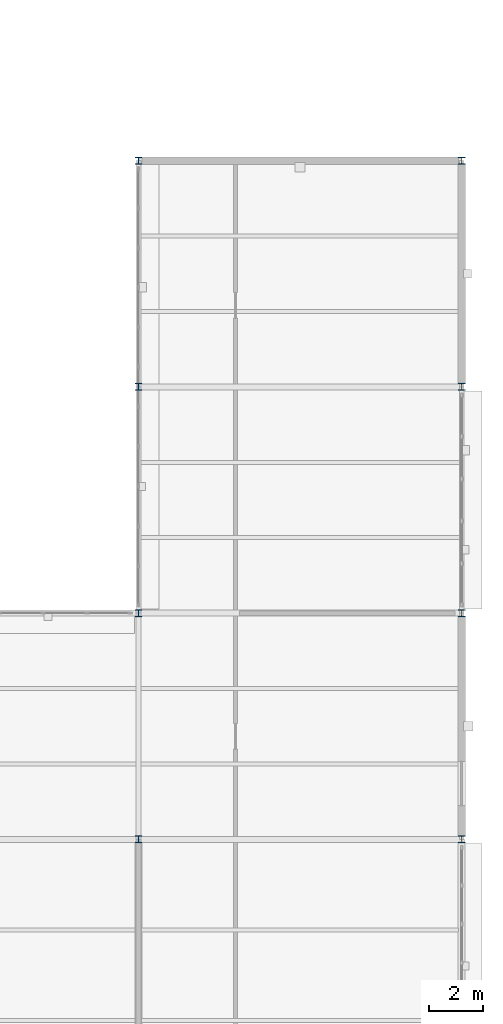
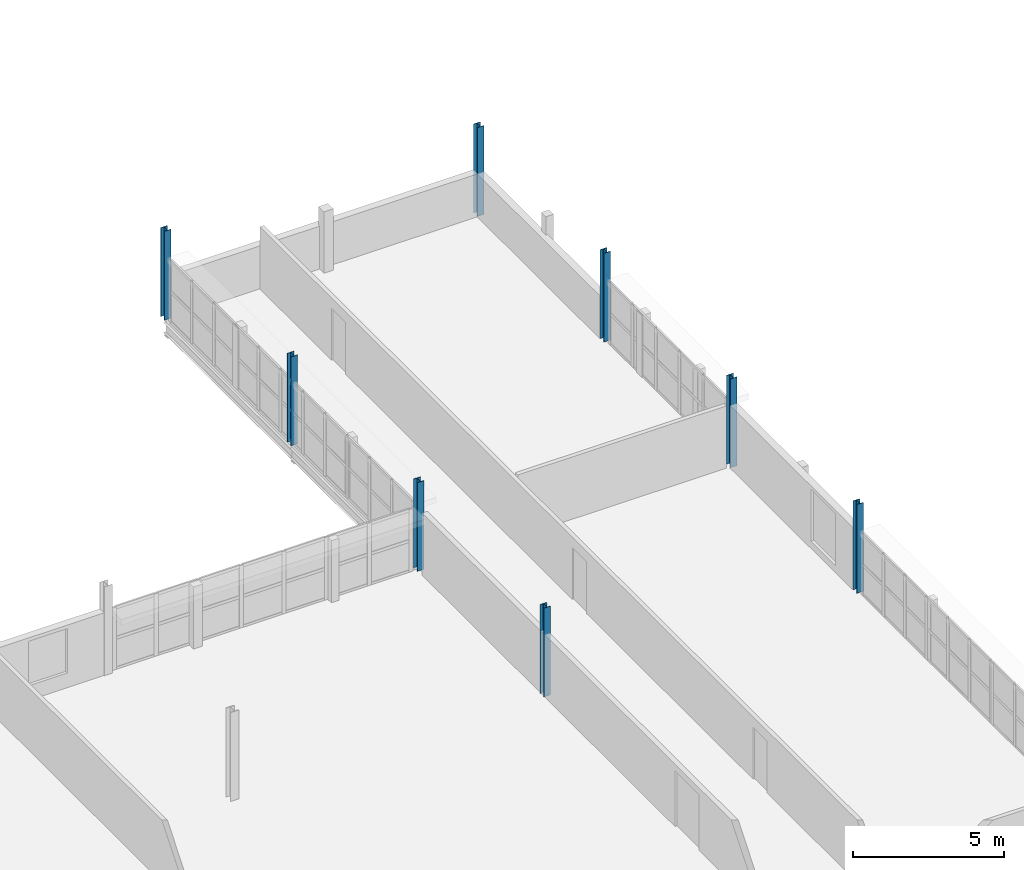
# One storey, part 17 of 79: 8 columns.
"""IFC4 building model written with IfcOpenShell, lengths in metres."""

import ifcopenshell
import ifcopenshell.guid

model = None  # the IFC model being written
_history = None  # IfcOwnerHistory: only IFC2X3 demands one
_inside = {}  # id of a spatial element -> (the spatial element, [elements in it])
_under = {}  # id of a project, library or spatial element -> (it, [spatial elements below it])
_declared = {}  # id of a project -> (the project, [libraries it declares])
_typed = {}  # id of a type object -> (the type object, [elements of that type])
_made_of = {}  # id of a material, layer set ... -> (it, [elements and type objects made of it])


def new_model(schema):
    """Start an empty IFC model of exactly this schema.

    Asked for "IFC4X3", IfcOpenShell would pick the latest addendum, in which some entities
    have other attributes; the version numbers below select the first issue.
    IFC2X3 requires an IfcOwnerHistory on every rooted entity: one is made here for all.
    """
    global model, _history
    if schema == "IFC4X3":
        model = ifcopenshell.file(schema_version=(4, 3, 0, 0))
    else:
        model = ifcopenshell.file(schema=schema)
    _inside.clear()
    _under.clear()
    _declared.clear()
    _typed.clear()
    _made_of.clear()
    _history = None
    if model.schema == "IFC2X3":
        org = make("IfcOrganization", Name="unknown")
        user = make(
            "IfcPersonAndOrganization",
            ThePerson=make("IfcPerson", FamilyName="unknown"),
            TheOrganization=org,
        )
        app = make(
            "IfcApplication",
            ApplicationDeveloper=org,
            Version="unknown",
            ApplicationFullName="unknown",
            ApplicationIdentifier="unknown",
        )
        _history = make(
            "IfcOwnerHistory",
            OwningUser=user,
            OwningApplication=app,
            ChangeAction="ADDED",
            CreationDate=0,
        )
    return model


def make(cls, **values):
    """One entity of the class cls with the attributes given. An attribute that is None is left unset."""
    return model.create_entity(
        cls, **{name: value for name, value in values.items() if value is not None}
    )


def rooted(cls, **values):
    """An entity with a GlobalId (a new one), such as an element, a storey or a relation."""
    return make(cls, GlobalId=ifcopenshell.guid.new(), OwnerHistory=_history, **values)


def si_unit(unit_type, name, prefix=None):
    """IfcSIUnit, for example si_unit("LENGTHUNIT", "METRE", prefix="MILLI")."""
    return make("IfcSIUnit", UnitType=unit_type, Prefix=prefix, Name=name)


def assignment(units):
    """IfcUnitAssignment: the units of a project."""
    return None if units is None else make("IfcUnitAssignment", Units=units)


def point(xyz):
    """IfcCartesianPoint."""
    return None if xyz is None else make("IfcCartesianPoint", Coordinates=xyz)


def direction(xyz):
    """IfcDirection."""
    return None if xyz is None else make("IfcDirection", DirectionRatios=xyz)


def frame(location, z_axis=None, x_axis=None):
    """IfcAxis2Placement3D, a coordinate frame: its origin and axes. An axis left out is left unset."""
    return make(
        "IfcAxis2Placement3D",
        Location=point(location),
        Axis=direction(z_axis),
        RefDirection=direction(x_axis),
    )


def frame_2d(location, x_axis=None):
    """IfcAxis2Placement2D, a coordinate frame in the plane: its origin and x axis."""
    return make(
        "IfcAxis2Placement2D", Location=point(location), RefDirection=direction(x_axis)
    )


def origin():
    """The frame at (0, 0, 0) with its axes left unset."""
    return frame((0.0, 0.0, 0.0))


def origin_2d():
    """The frame at (0, 0) in the plane with its x axis left unset."""
    return frame_2d((0.0, 0.0))


def place(relative_to, where):
    """IfcLocalPlacement: puts the frame where relative to a parent placement (None: the world)."""
    return make(
        "IfcLocalPlacement", PlacementRelTo=relative_to, RelativePlacement=where
    )


def context(
    kind, dimensions, precision=None, world=None, true_north=None, identifier=None
):
    """IfcGeometricRepresentationContext, for example the 3D "Model" context."""
    return make(
        "IfcGeometricRepresentationContext",
        ContextIdentifier=identifier,
        ContextType=kind,
        CoordinateSpaceDimension=dimensions,
        Precision=precision,
        WorldCoordinateSystem=world,
        TrueNorth=true_north,
    )


def subcontext(parent, identifier, kind, view, scale=None):
    """IfcGeometricRepresentationSubContext, for example "Body" below "Model"."""
    return make(
        "IfcGeometricRepresentationSubContext",
        ContextIdentifier=identifier,
        ContextType=kind,
        ParentContext=parent,
        TargetScale=scale,
        TargetView=view,
    )


def project(units=None, contexts=None):
    """IfcProject with its units and contexts."""
    return rooted(
        "IfcProject",
        Name="project",
        RepresentationContexts=contexts,
        UnitsInContext=assignment(units),
    )


def spatial(cls, under=None, at=None, **own):
    """A site, building, storey or space (cls), placed at a placement, below another one or the project."""
    s = rooted(cls, ObjectPlacement=at, **own)
    if under is not None:
        _under.setdefault(under.id(), (under, []))[1].append(s)
    return s


def profile(cls, at=None, kind="AREA", **sizes):
    """A parametric profile (cls). Its sizes go by their IFC names, for example OverallWidth=200.0."""
    return make(cls, ProfileType=kind, Position=at, **sizes)


def i_section(**sizes):
    """IfcIShapeProfileDef."""
    return profile("IfcIShapeProfileDef", **sizes)


def extrude(swept, where, along, depth):
    """IfcExtrudedAreaSolid: the profile swept, set in the frame where, extruded along a direction by depth."""
    return make(
        "IfcExtrudedAreaSolid",
        SweptArea=swept,
        Position=where,
        ExtrudedDirection=direction(along),
        Depth=depth,
    )


def shape(context_of_items, identifier, shape_type, items):
    """IfcShapeRepresentation: the items that make up one representation, for example the "Body"."""
    return make(
        "IfcShapeRepresentation",
        ContextOfItems=context_of_items,
        RepresentationIdentifier=identifier,
        RepresentationType=shape_type,
        Items=items,
    )


def material(Name=None, Category=None):
    """IfcMaterial."""
    return make("IfcMaterial", Name=Name, Category=Category)


def material_profile(
    of_material, cross_section, Name=None, Category=None, Priority=None
):
    """IfcMaterialProfile: a cross section and its material."""
    return make(
        "IfcMaterialProfile",
        Name=Name,
        Material=of_material,
        Profile=cross_section,
        Priority=Priority,
        Category=Category,
    )


def profile_set(profiles, Name=None, composite=None):
    """IfcMaterialProfileSet."""
    return make(
        "IfcMaterialProfileSet",
        Name=Name,
        MaterialProfiles=profiles,
        CompositeProfile=composite,
    )


def made_of(thing, what):
    """Note that an element or type object is made of a material, layer set ...; save() writes the relation."""
    if what is not None:
        _made_of.setdefault(what.id(), (what, []))[1].append(thing)
    return thing


def type_object(cls, material=None, **own):
    """A type object (cls), such as IfcWallType, which elements share."""
    return made_of(rooted(cls, **own), material)


def element(
    cls,
    number,
    at=None,
    inside=None,
    cuts=None,
    type_object=None,
    material=None,
    context=None,
    identifier="Body",
    shape_type=None,
    held_by="IfcProductDefinitionShape",
    body=None,
    shapes=None,
    **own,
):
    """One element of the class cls, such as IfcWall. Its Tag is "e" and its number.

    at: its placement. inside: the storey or other place that contains it. cuts: it is an
    opening in that element (IfcRelVoidsElement). A single representation is given by context,
    identifier, shape_type and body (its items); several are given by shapes. held_by: the class
    of the entity that holds the representations. save() writes the other relations.
    """
    e = rooted(cls, Tag="e%d" % number, ObjectPlacement=at, **own)
    if body is not None:
        shapes = [shape(context, identifier, shape_type, body)]
    if shapes is not None:
        e.Representation = make(held_by, Representations=shapes)
    if inside is not None:
        _inside.setdefault(inside.id(), (inside, []))[1].append(e)
    if cuts is not None:
        rooted(
            "IfcRelVoidsElement", RelatingBuildingElement=cuts, RelatedOpeningElement=e
        )
    if type_object is not None:
        _typed.setdefault(type_object.id(), (type_object, []))[1].append(e)
    return made_of(e, material)


def aggregate(whole, parts):
    """IfcRelAggregates: a whole, such as a stair, and the parts it consists of."""
    return rooted("IfcRelAggregates", RelatingObject=whole, RelatedObjects=parts)


def save(model, path):
    """Write the relations noted so far, then the file.

    IfcRelAggregates (storeys below a building ...), IfcRelContainedInSpatialStructure (elements
    in a storey), IfcRelDefinesByType, IfcRelAssociatesMaterial and IfcRelDeclares: one each for
    every whole, place, type object, material and project.
    """
    for whole, parts in _under.values():
        aggregate(whole, parts)
    for where, things in _inside.values():
        rooted(
            "IfcRelContainedInSpatialStructure",
            RelatedElements=things,
            RelatingStructure=where,
        )
    for kind, things in _typed.values():
        rooted("IfcRelDefinesByType", RelatedObjects=things, RelatingType=kind)
    for what, things in _made_of.values():
        rooted("IfcRelAssociatesMaterial", RelatedObjects=things, RelatingMaterial=what)
    for by, libraries in _declared.values():
        rooted("IfcRelDeclares", RelatingContext=by, RelatedDefinitions=libraries)
    model.write(path)


model = new_model("IFC4")

# Units and contexts
model_context = context("Model", 3, precision=1e-05, world=origin(), true_north=direction((0.0, 1.0)))
body_context = subcontext(model_context, "Body", "Model", "MODEL_VIEW")
ifc_project = project(units=[si_unit("LENGTHUNIT", "METRE"), si_unit("AREAUNIT", "SQUARE_METRE"), si_unit("VOLUMEUNIT", "CUBIC_METRE"), si_unit("PLANEANGLEUNIT", "RADIAN"), si_unit("MASSUNIT", "GRAM", prefix="KILO"), si_unit("THERMODYNAMICTEMPERATUREUNIT", "KELVIN"), si_unit("POWERUNIT", "WATT")], contexts=[model_context])

# Site, building, storey
site_placement = place(None, origin())
site = spatial("IfcSite", under=ifc_project, at=site_placement, CompositionType="ELEMENT")
building_placement = place(site_placement, origin())
building = spatial("IfcBuilding", under=site, at=building_placement, Name="Tembeka Court Mobility Hub", CompositionType="ELEMENT")
storey_placement = place(building_placement, frame((0.0, 0.0, 9.0)))
storey = spatial("IfcBuildingStorey", under=building, at=storey_placement, Name="L02", CompositionType="ELEMENT", Elevation=9.0)

# Columns
ifc_material = material(Name="Steel S355", Category="steel")
ifc_material_profile = material_profile(ifc_material, i_section(OverallWidth=0.256103515625, OverallDepth=0.260009765625, WebThickness=0.01025390625, FlangeThickness=0.017333984375, FilletRadius=0.0126953125, at=origin_2d()), Name="UKC 254x254x89")
ifc_profile_set = profile_set([ifc_material_profile], Name="Steel S355")
column_type = type_object("IfcColumnType", Name="COL-C05", PredefinedType="COLUMN", material=ifc_profile_set)
for number, where, z_axis, x_axis, name in (
    (1, (164.39990234375, 38.39990234375, 0.0), (0.0, 0.0, 1.0), (1.0, 0.0, 0.0), "Column C05 (L02-223)"),
    (2, (164.39990234375, 46.800048828125, 0.0), (0.0, 0.0, 1.0), (1.0, 0.0, 0.0), "Column C05 (L02-224)"),
    (3, (164.39990234375, 55.199951171875, 0.0), (0.0, 0.0, 1.0), (1.0, 0.0, 0.0), "Column C05 (L02-225)"),
    (4, (164.39990234375, 63.60009765625, 0.0), (0.0, 0.0, 1.0), (1.0, 0.0, 0.0), "Column C05 (L02-226)"),
    (5, (176.39990234375, 38.39990234375, 0.0), (0.0, 0.0, 1.0), (1.0, 0.0, 0.0), "Column C05 (L02-242)"),
    (6, (176.39990234375, 46.800048828125, 0.0), (0.0, 0.0, 1.0), (1.0, 0.0, 0.0), "Column C05 (L02-243)"),
    (7, (176.39990234375, 55.199951171875, 0.0), (0.0, 0.0, 1.0), (1.0, 0.0, 0.0), "Column C05 (L02-244)"),
    (8, (176.39990234375, 63.60009765625, 0.0), (0.0, 0.0, 1.0), (1.0, 0.0, 0.0), "Column C05 (L02-245)"),
):
    element("IfcColumn", number, at=place(storey_placement, frame(where, z_axis=z_axis, x_axis=x_axis)), inside=storey, type_object=column_type, Name=name, PredefinedType="COLUMN", context=body_context, shape_type="SweptSolid", body=[
        extrude(i_section(OverallWidth=0.256103515625, OverallDepth=0.260009765625, WebThickness=0.01025390625, FlangeThickness=0.017333984375, FilletRadius=0.0126953125, at=origin_2d()), origin(), (0.0, 0.0, 1.0), 3.60009765625),
    ])

save(model, "model.ifc")
